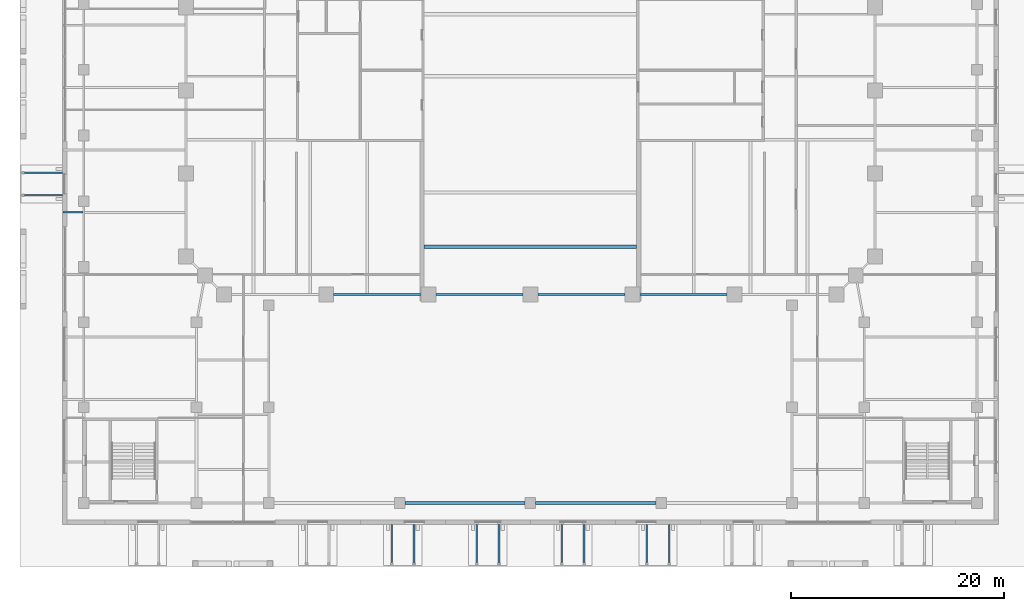
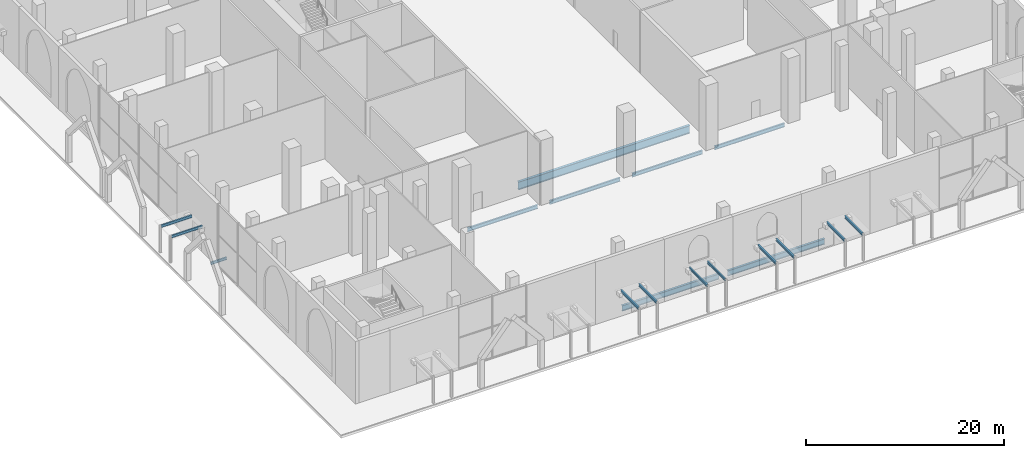
# One storey, part 16 of 38: 18 beams.
"""IFC4 building model written with IfcOpenShell, lengths in metres."""

from ifc_helpers import new_model, si_unit, direction, frame, origin, origin_2d, place, context, subcontext, project, spatial, i_section, extrude, material, material_profile, profile_set, type_object, element, save


model = new_model("IFC4")

# Units and contexts
model_context = context("Model", 3, precision=1e-05, world=origin(), true_north=direction((0.0, 1.0)))
body_context = subcontext(model_context, "Body", "Model", "MODEL_VIEW")
ifc_project = project(units=[si_unit("LENGTHUNIT", "METRE"), si_unit("AREAUNIT", "SQUARE_METRE"), si_unit("VOLUMEUNIT", "CUBIC_METRE"), si_unit("PLANEANGLEUNIT", "RADIAN"), si_unit("MASSUNIT", "GRAM", prefix="KILO")], contexts=[model_context])

# Site, building, storey
site_placement = place(None, origin())
site = spatial("IfcSite", under=ifc_project, at=site_placement, CompositionType="ELEMENT")
building_placement = place(site_placement, origin())
building = spatial("IfcBuilding", under=site, at=building_placement, Name="Ogive Exchange Tower", CompositionType="ELEMENT")
storey_placement = place(building_placement, origin())
storey = spatial("IfcBuildingStorey", under=building, at=storey_placement, Name="L00", CompositionType="ELEMENT", Elevation=0.0)

# Beams
ifc_material = material(Name="Steel ASTM A992 Gr50", Category="steel")
ifc_material_profile_1 = material_profile(ifc_material, i_section(OverallWidth=0.300048828125, OverallDepth=0.969970703125, WebThickness=0.01611328125, FlangeThickness=0.02099609375, at=origin_2d()), Name="W1000x222")
ifc_profile_set_1 = profile_set([ifc_material_profile_1], Name="Steel ASTM A992 Gr50")
beam_type_1 = type_object("IfcBeamType", Name="Floor beam W1000x222", PredefinedType="JOIST", material=ifc_profile_set_1)
beam_1_placement = place(storey_placement, frame((-10.0, -25.896728515625, -0.784912109375), z_axis=(1.0, 0.0, 0.0), x_axis=(0.0, 1.0, 0.0)))
element("IfcBeam", 1, at=beam_1_placement, inside=storey, type_object=beam_type_1, Name="Floor beam", PredefinedType="JOIST", context=body_context, shape_type="SweptSolid", body=[
    extrude(i_section(OverallWidth=0.300048828125, OverallDepth=0.969970703125, WebThickness=0.01611328125, FlangeThickness=0.02099609375, at=origin_2d()), origin(), (0.0, 0.0, 1.0), 20.0),
])
ifc_material_profile_2 = material_profile(ifc_material, i_section(OverallWidth=0.1650390625, OverallDepth=0.31005859375, WebThickness=0.005859375, FlangeThickness=0.009765625, at=origin_2d()), Name="W310x38.7")
ifc_profile_set_2 = profile_set([ifc_material_profile_2], Name="Steel ASTM A992 Gr50")
beam_type_2 = type_object("IfcBeamType", Name="Floor beam W310x38.7", PredefinedType="JOIST", material=ifc_profile_set_2)
beam_2_placement = place(storey_placement, frame((-43.949951171875, -22.666748046875, -0.455078125), z_axis=(1.0, 0.0, 0.0), x_axis=(0.0, 1.0, 0.0)))
element("IfcBeam", 2, at=beam_2_placement, inside=storey, type_object=beam_type_2, Name="Floor beam", PredefinedType="JOIST", context=body_context, shape_type="SweptSolid", body=[
    extrude(i_section(OverallWidth=0.1650390625, OverallDepth=0.31005859375, WebThickness=0.005859375, FlangeThickness=0.009765625, at=origin_2d()), origin(), (0.0, 0.0, 1.0), 1.867431640625),
])
ifc_material_profile_3 = material_profile(ifc_material, i_section(OverallWidth=0.1650390625, OverallDepth=0.31005859375, WebThickness=0.005859375, FlangeThickness=0.009765625, at=origin_2d()), Name="W310x38.7")
ifc_profile_set_3 = profile_set([ifc_material_profile_3], Name="Steel ASTM A992 Gr50")
beam_type_3 = type_object("IfcBeamType", Name="Girder W310x38.7", PredefinedType="BEAM", material=ifc_profile_set_3)
for number, where, z_axis, x_axis, name in (
    (3, (-13.050048828125, -52.0, 3.14501953125), (0.0, -1.0, 0.0), (1.0, 0.0, 0.0), "Canopy beam"),
    (4, (-10.949951171875, -52.0, 3.14501953125), (0.0, -1.0, 0.0), (1.0, 0.0, 0.0), "Canopy beam"),
    (5, (-5.050048828125, -52.0, 3.14501953125), (0.0, -1.0, 0.0), (1.0, 0.0, 0.0), "Canopy beam"),
    (6, (-2.949951171875, -52.0, 3.14501953125), (0.0, -1.0, 0.0), (1.0, 0.0, 0.0), "Canopy beam"),
    (7, (2.949951171875, -52.0, 3.14501953125), (0.0, -1.0, 0.0), (1.0, 0.0, 0.0), "Canopy beam"),
    (8, (5.050048828125, -52.0, 3.14501953125), (0.0, -1.0, 0.0), (1.0, 0.0, 0.0), "Canopy beam"),
    (9, (10.949951171875, -52.0, 3.14501953125), (0.0, -1.0, 0.0), (1.0, 0.0, 0.0), "Canopy beam"),
    (10, (13.050048828125, -52.0, 3.14501953125), (0.0, -1.0, 0.0), (1.0, 0.0, 0.0), "Canopy beam"),
    (11, (-44.0, -18.949951171875, 3.14501953125), (-1.0, 0.0, 0.0), (0.0, -1.0, 0.0), "Canopy beam"),
    (12, (-44.0, -21.050048828125, 3.14501953125), (-1.0, 0.0, 0.0), (0.0, -1.0, 0.0), "Canopy beam"),
):
    element("IfcBeam", number, at=place(storey_placement, frame(where, z_axis=z_axis, x_axis=x_axis)), inside=storey, type_object=beam_type_3, Name=name, PredefinedType="BEAM", context=body_context, shape_type="SweptSolid", body=[
        extrude(i_section(OverallWidth=0.1650390625, OverallDepth=0.31005859375, WebThickness=0.005859375, FlangeThickness=0.009765625, at=origin_2d()), origin(), (0.0, 0.0, 1.0), 3.598388671875),
    ])
ifc_material_profile_4 = material_profile(ifc_material, i_section(OverallWidth=0.19091796875, OverallDepth=0.45703125, WebThickness=0.009033203125, FlangeThickness=0.014404296875, at=origin_2d()), Name="W460x74")
ifc_profile_set_4 = profile_set([ifc_material_profile_4], Name="Steel ASTM A992 Gr50")
beam_type_4 = type_object("IfcBeamType", Name="Girder W460x74", PredefinedType="BEAM", material=ifc_profile_set_4)
for number, where, z_axis, x_axis, name in (
    (13, (-18.5, -30.39990234375, -0.528564453125), (1.0, 0.0, 0.0), (0.0, 1.0, 0.0), "Girder"),
    (14, (-8.89990234375, -30.39990234375, -0.528564453125), (1.0, 0.0, 0.0), (0.0, 1.0, 0.0), "Girder"),
    (15, (0.699951171875, -30.39990234375, -0.528564453125), (1.0, 0.0, 0.0), (0.0, 1.0, 0.0), "Girder"),
    (16, (10.300048828125, -30.39990234375, -0.528564453125), (1.0, 0.0, 0.0), (0.0, 1.0, 0.0), "Girder"),
):
    element("IfcBeam", number, at=place(storey_placement, frame(where, z_axis=z_axis, x_axis=x_axis)), inside=storey, type_object=beam_type_4, Name=name, PredefinedType="BEAM", context=body_context, shape_type="SweptSolid", body=[
        extrude(i_section(OverallWidth=0.19091796875, OverallDepth=0.45703125, WebThickness=0.009033203125, FlangeThickness=0.014404296875, at=origin_2d()), origin(), (0.0, 0.0, 1.0), 8.199951171875),
    ])
ifc_material_profile_5 = material_profile(ifc_material, i_section(OverallWidth=0.25390625, OverallDepth=0.677978515625, WebThickness=0.01171875, FlangeThickness=0.016357421875, at=origin_2d()), Name="W690x125")
ifc_profile_set_5 = profile_set([ifc_material_profile_5], Name="Steel ASTM A992 Gr50")
beam_type_5 = type_object("IfcBeamType", Name="Girder W690x125", PredefinedType="BEAM", material=ifc_profile_set_5)
for number, where, z_axis, x_axis, name in (
    (17, (-11.800048828125, -50.0, -0.638916015625), (1.0, 0.0, 0.0), (0.0, 1.0, 0.0), "Girder"),
    (18, (0.5, -50.0, -0.638916015625), (1.0, 0.0, 0.0), (0.0, 1.0, 0.0), "Girder"),
):
    element("IfcBeam", number, at=place(storey_placement, frame(where, z_axis=z_axis, x_axis=x_axis)), inside=storey, type_object=beam_type_5, Name=name, PredefinedType="BEAM", context=body_context, shape_type="SweptSolid", body=[
        extrude(i_section(OverallWidth=0.25390625, OverallDepth=0.677978515625, WebThickness=0.01171875, FlangeThickness=0.016357421875, at=origin_2d()), origin(), (0.0, 0.0, 1.0), 11.300048828125),
    ])

save(model, "model.ifc")
